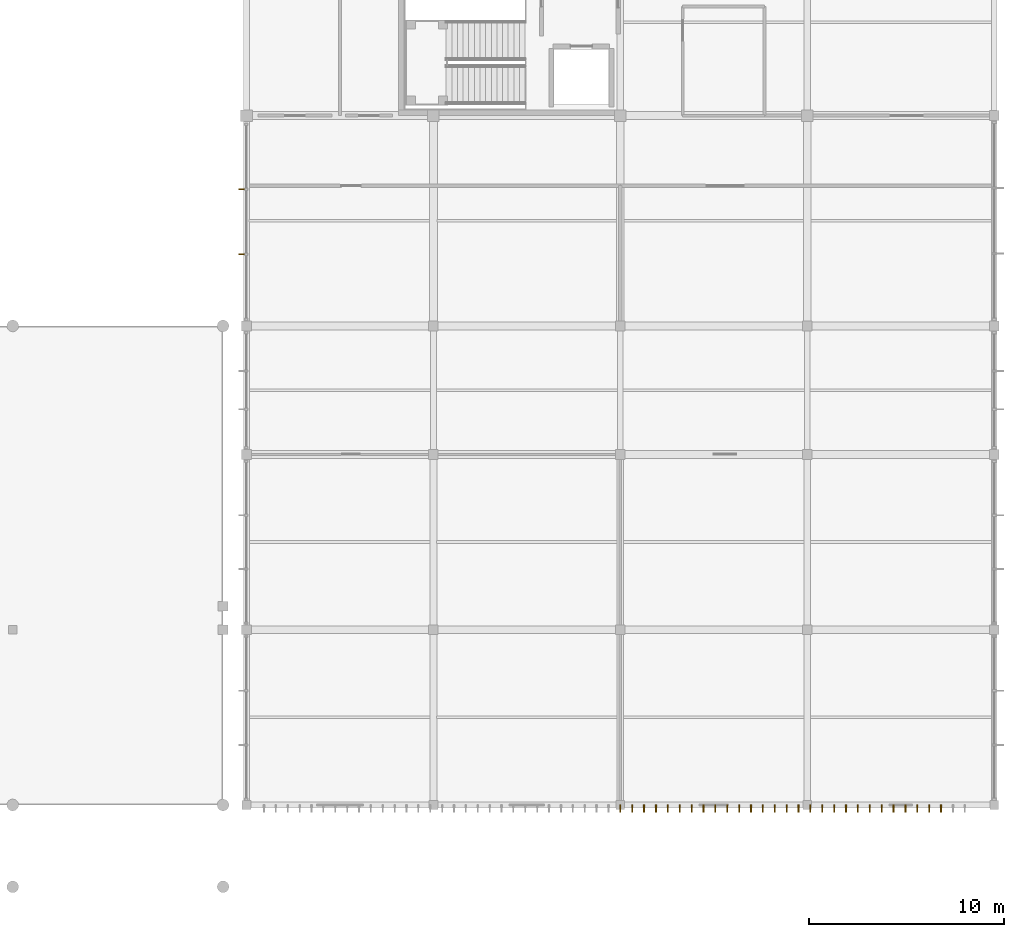
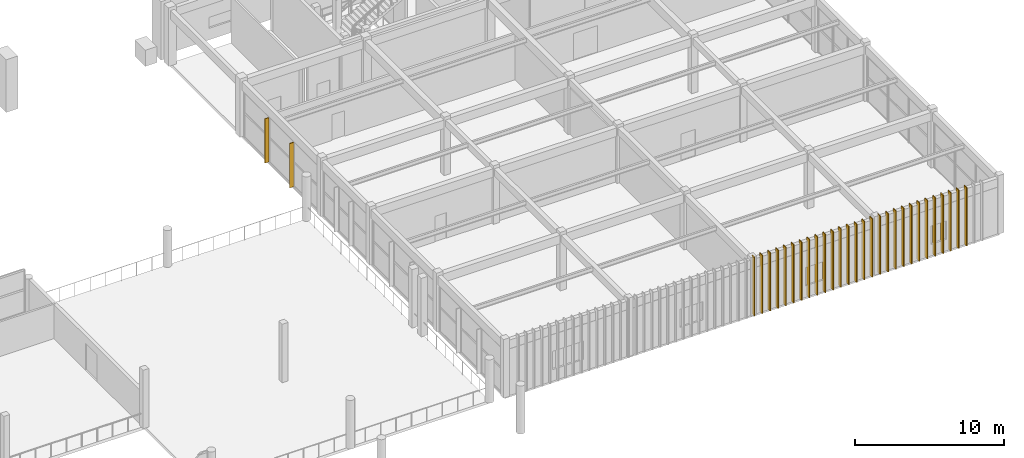
# One storey, part 68 of 74: 30 shading devices.
"""IFC4 building model written with IfcOpenShell, lengths in metres."""

import ifcopenshell
import ifcopenshell.guid

model = None  # the IFC model being written
_history = None  # IfcOwnerHistory: only IFC2X3 demands one
_inside = {}  # id of a spatial element -> (the spatial element, [elements in it])
_under = {}  # id of a project, library or spatial element -> (it, [spatial elements below it])
_declared = {}  # id of a project -> (the project, [libraries it declares])
_typed = {}  # id of a type object -> (the type object, [elements of that type])
_made_of = {}  # id of a material, layer set ... -> (it, [elements and type objects made of it])


def new_model(schema):
    """Start an empty IFC model of exactly this schema.

    Asked for "IFC4X3", IfcOpenShell would pick the latest addendum, in which some entities
    have other attributes; the version numbers below select the first issue.
    IFC2X3 requires an IfcOwnerHistory on every rooted entity: one is made here for all.
    """
    global model, _history
    if schema == "IFC4X3":
        model = ifcopenshell.file(schema_version=(4, 3, 0, 0))
    else:
        model = ifcopenshell.file(schema=schema)
    _inside.clear()
    _under.clear()
    _declared.clear()
    _typed.clear()
    _made_of.clear()
    _history = None
    if model.schema == "IFC2X3":
        org = make("IfcOrganization", Name="unknown")
        user = make(
            "IfcPersonAndOrganization",
            ThePerson=make("IfcPerson", FamilyName="unknown"),
            TheOrganization=org,
        )
        app = make(
            "IfcApplication",
            ApplicationDeveloper=org,
            Version="unknown",
            ApplicationFullName="unknown",
            ApplicationIdentifier="unknown",
        )
        _history = make(
            "IfcOwnerHistory",
            OwningUser=user,
            OwningApplication=app,
            ChangeAction="ADDED",
            CreationDate=0,
        )
    return model


def make(cls, **values):
    """One entity of the class cls with the attributes given. An attribute that is None is left unset."""
    return model.create_entity(
        cls, **{name: value for name, value in values.items() if value is not None}
    )


def rooted(cls, **values):
    """An entity with a GlobalId (a new one), such as an element, a storey or a relation."""
    return make(cls, GlobalId=ifcopenshell.guid.new(), OwnerHistory=_history, **values)


def si_unit(unit_type, name, prefix=None):
    """IfcSIUnit, for example si_unit("LENGTHUNIT", "METRE", prefix="MILLI")."""
    return make("IfcSIUnit", UnitType=unit_type, Prefix=prefix, Name=name)


def assignment(units):
    """IfcUnitAssignment: the units of a project."""
    return None if units is None else make("IfcUnitAssignment", Units=units)


def point(xyz):
    """IfcCartesianPoint."""
    return None if xyz is None else make("IfcCartesianPoint", Coordinates=xyz)


def direction(xyz):
    """IfcDirection."""
    return None if xyz is None else make("IfcDirection", DirectionRatios=xyz)


def frame(location, z_axis=None, x_axis=None):
    """IfcAxis2Placement3D, a coordinate frame: its origin and axes. An axis left out is left unset."""
    return make(
        "IfcAxis2Placement3D",
        Location=point(location),
        Axis=direction(z_axis),
        RefDirection=direction(x_axis),
    )


def frame_2d(location, x_axis=None):
    """IfcAxis2Placement2D, a coordinate frame in the plane: its origin and x axis."""
    return make(
        "IfcAxis2Placement2D", Location=point(location), RefDirection=direction(x_axis)
    )


def origin():
    """The frame at (0, 0, 0) with its axes left unset."""
    return frame((0.0, 0.0, 0.0))


def origin_2d():
    """The frame at (0, 0) in the plane with its x axis left unset."""
    return frame_2d((0.0, 0.0))


def place(relative_to, where):
    """IfcLocalPlacement: puts the frame where relative to a parent placement (None: the world)."""
    return make(
        "IfcLocalPlacement", PlacementRelTo=relative_to, RelativePlacement=where
    )


def context(
    kind, dimensions, precision=None, world=None, true_north=None, identifier=None
):
    """IfcGeometricRepresentationContext, for example the 3D "Model" context."""
    return make(
        "IfcGeometricRepresentationContext",
        ContextIdentifier=identifier,
        ContextType=kind,
        CoordinateSpaceDimension=dimensions,
        Precision=precision,
        WorldCoordinateSystem=world,
        TrueNorth=true_north,
    )


def subcontext(parent, identifier, kind, view, scale=None):
    """IfcGeometricRepresentationSubContext, for example "Body" below "Model"."""
    return make(
        "IfcGeometricRepresentationSubContext",
        ContextIdentifier=identifier,
        ContextType=kind,
        ParentContext=parent,
        TargetScale=scale,
        TargetView=view,
    )


def project(units=None, contexts=None):
    """IfcProject with its units and contexts."""
    return rooted(
        "IfcProject",
        Name="project",
        RepresentationContexts=contexts,
        UnitsInContext=assignment(units),
    )


def spatial(cls, under=None, at=None, **own):
    """A site, building, storey or space (cls), placed at a placement, below another one or the project."""
    s = rooted(cls, ObjectPlacement=at, **own)
    if under is not None:
        _under.setdefault(under.id(), (under, []))[1].append(s)
    return s


def profile(cls, at=None, kind="AREA", **sizes):
    """A parametric profile (cls). Its sizes go by their IFC names, for example OverallWidth=200.0."""
    return make(cls, ProfileType=kind, Position=at, **sizes)


def rectangle(**sizes):
    """IfcRectangleProfileDef."""
    return profile("IfcRectangleProfileDef", **sizes)


def extrude(swept, where, along, depth):
    """IfcExtrudedAreaSolid: the profile swept, set in the frame where, extruded along a direction by depth."""
    return make(
        "IfcExtrudedAreaSolid",
        SweptArea=swept,
        Position=where,
        ExtrudedDirection=direction(along),
        Depth=depth,
    )


def shape(context_of_items, identifier, shape_type, items):
    """IfcShapeRepresentation: the items that make up one representation, for example the "Body"."""
    return make(
        "IfcShapeRepresentation",
        ContextOfItems=context_of_items,
        RepresentationIdentifier=identifier,
        RepresentationType=shape_type,
        Items=items,
    )


def material(Name=None, Category=None):
    """IfcMaterial."""
    return make("IfcMaterial", Name=Name, Category=Category)


def made_of(thing, what):
    """Note that an element or type object is made of a material, layer set ...; save() writes the relation."""
    if what is not None:
        _made_of.setdefault(what.id(), (what, []))[1].append(thing)
    return thing


def type_object(cls, material=None, **own):
    """A type object (cls), such as IfcWallType, which elements share."""
    return made_of(rooted(cls, **own), material)


def element(
    cls,
    number,
    at=None,
    inside=None,
    cuts=None,
    type_object=None,
    material=None,
    context=None,
    identifier="Body",
    shape_type=None,
    held_by="IfcProductDefinitionShape",
    body=None,
    shapes=None,
    **own,
):
    """One element of the class cls, such as IfcWall. Its Tag is "e" and its number.

    at: its placement. inside: the storey or other place that contains it. cuts: it is an
    opening in that element (IfcRelVoidsElement). A single representation is given by context,
    identifier, shape_type and body (its items); several are given by shapes. held_by: the class
    of the entity that holds the representations. save() writes the other relations.
    """
    e = rooted(cls, Tag="e%d" % number, ObjectPlacement=at, **own)
    if body is not None:
        shapes = [shape(context, identifier, shape_type, body)]
    if shapes is not None:
        e.Representation = make(held_by, Representations=shapes)
    if inside is not None:
        _inside.setdefault(inside.id(), (inside, []))[1].append(e)
    if cuts is not None:
        rooted(
            "IfcRelVoidsElement", RelatingBuildingElement=cuts, RelatedOpeningElement=e
        )
    if type_object is not None:
        _typed.setdefault(type_object.id(), (type_object, []))[1].append(e)
    return made_of(e, material)


def aggregate(whole, parts):
    """IfcRelAggregates: a whole, such as a stair, and the parts it consists of."""
    return rooted("IfcRelAggregates", RelatingObject=whole, RelatedObjects=parts)


def save(model, path):
    """Write the relations noted so far, then the file.

    IfcRelAggregates (storeys below a building ...), IfcRelContainedInSpatialStructure (elements
    in a storey), IfcRelDefinesByType, IfcRelAssociatesMaterial and IfcRelDeclares: one each for
    every whole, place, type object, material and project.
    """
    for whole, parts in _under.values():
        aggregate(whole, parts)
    for where, things in _inside.values():
        rooted(
            "IfcRelContainedInSpatialStructure",
            RelatedElements=things,
            RelatingStructure=where,
        )
    for kind, things in _typed.values():
        rooted("IfcRelDefinesByType", RelatedObjects=things, RelatingType=kind)
    for what, things in _made_of.values():
        rooted("IfcRelAssociatesMaterial", RelatedObjects=things, RelatingMaterial=what)
    for by, libraries in _declared.values():
        rooted("IfcRelDeclares", RelatingContext=by, RelatedDefinitions=libraries)
    model.write(path)


model = new_model("IFC4")

# Units and contexts
model_context = context("Model", 3, precision=1e-05, world=origin(), true_north=direction((0.0, 1.0)))
body_context = subcontext(model_context, "Body", "Model", "MODEL_VIEW")
ifc_project = project(units=[si_unit("LENGTHUNIT", "METRE"), si_unit("AREAUNIT", "SQUARE_METRE"), si_unit("VOLUMEUNIT", "CUBIC_METRE"), si_unit("PLANEANGLEUNIT", "RADIAN"), si_unit("MASSUNIT", "GRAM", prefix="KILO")], contexts=[model_context])

# Site, building, storey
site_placement = place(None, origin())
site = spatial("IfcSite", under=ifc_project, at=site_placement, CompositionType="ELEMENT")
building_placement = place(site_placement, origin())
building = spatial("IfcBuilding", under=site, at=building_placement, Name="Suirenkawa Promenade Aquatics Centre", CompositionType="ELEMENT")
storey_placement = place(building_placement, frame((0.0, 0.0, 4.800048828125)))
storey = spatial("IfcBuildingStorey", under=building, at=storey_placement, Name="L01", CompositionType="ELEMENT", Elevation=4.800048828125)

# Shading devices
ifc_material = material(Name="Anodised aluminium 6063-T6", Category="aluminium")
shading_device_type_1 = type_object("IfcShadingDeviceType", Name="SDT-KOUSHI-320", PredefinedType="USERDEFINED", material=ifc_material)
for number, where, z_axis, x_axis, name in (
    (1, (155.76806640625, 32.48291015625, 0.0400390625), (0.0, 0.0, 1.0), (-1.0, 0.0, 0.0), "Vertical solar shading fin FN-02 FIN-0047"),
    (2, (155.76806640625, 35.81689453125, 0.0400390625), (0.0, 0.0, 1.0), (-1.0, 0.0, 0.0), "Vertical solar shading fin FN-02 FIN-0048"),
):
    element("IfcShadingDevice", number, at=place(storey_placement, frame(where, z_axis=z_axis, x_axis=x_axis)), inside=storey, type_object=shading_device_type_1, Name=name, ObjectType="FIN", PredefinedType="USERDEFINED", context=body_context, shape_type="SweptSolid", body=[
        extrude(rectangle(XDim=0.320068359375, YDim=0.06005859375, at=origin_2d()), origin(), (0.0, 0.0, 1.0), 3.639892578125),
    ])
shading_device_type_2 = type_object("IfcShadingDeviceType", Name="SDT-KOUSHI-400", PredefinedType="USERDEFINED", material=ifc_material)
for number, where, z_axis, x_axis, name in (
    (3, (175.199951171875, 4.02001953125, 0.0), (0.0, 0.0, 1.0), (1.0, 0.0, 0.0), "Koushi facade sunshade SH-01 SHD-0291"),
    (4, (175.81005859375, 4.02001953125, 0.0), (0.0, 0.0, 1.0), (1.0, 0.0, 0.0), "Koushi facade sunshade SH-01 SHD-0292"),
    (5, (176.419921875, 4.02001953125, 0.0), (0.0, 0.0, 1.0), (1.0, 0.0, 0.0), "Koushi facade sunshade SH-01 SHD-0293"),
    (6, (177.030029296875, 4.02001953125, 0.0), (0.0, 0.0, 1.0), (1.0, 0.0, 0.0), "Koushi facade sunshade SH-01 SHD-0294"),
    (7, (177.639892578125, 4.02001953125, 0.0), (0.0, 0.0, 1.0), (1.0, 0.0, 0.0), "Koushi facade sunshade SH-01 SHD-0295"),
    (8, (178.25, 4.02001953125, 0.0), (0.0, 0.0, 1.0), (1.0, 0.0, 0.0), "Koushi facade sunshade SH-01 SHD-0296"),
    (9, (178.860107421875, 4.02001953125, 0.0), (0.0, 0.0, 1.0), (1.0, 0.0, 0.0), "Koushi facade sunshade SH-01 SHD-0297"),
    (10, (179.469970703125, 4.02001953125, 0.0), (0.0, 0.0, 1.0), (1.0, 0.0, 0.0), "Koushi facade sunshade SH-01 SHD-0298"),
    (11, (180.080078125, 4.02001953125, 0.0), (0.0, 0.0, 1.0), (1.0, 0.0, 0.0), "Koushi facade sunshade SH-01 SHD-0299"),
    (12, (180.68994140625, 4.02001953125, 0.0), (0.0, 0.0, 1.0), (1.0, 0.0, 0.0), "Koushi facade sunshade SH-01 SHD-0300"),
    (13, (181.300048828125, 4.02001953125, 0.0), (0.0, 0.0, 1.0), (1.0, 0.0, 0.0), "Koushi facade sunshade SH-01 SHD-0301"),
    (14, (181.909912109375, 4.02001953125, 0.0), (0.0, 0.0, 1.0), (1.0, 0.0, 0.0), "Koushi facade sunshade SH-01 SHD-0302"),
    (15, (182.52001953125, 4.02001953125, 0.0), (0.0, 0.0, 1.0), (1.0, 0.0, 0.0), "Koushi facade sunshade SH-01 SHD-0303"),
    (16, (183.1298828125, 4.02001953125, 0.0), (0.0, 0.0, 1.0), (1.0, 0.0, 0.0), "Koushi facade sunshade SH-01 SHD-0304"),
    (17, (183.739990234375, 4.02001953125, 0.0), (0.0, 0.0, 1.0), (1.0, 0.0, 0.0), "Koushi facade sunshade SH-01 SHD-0305"),
    (18, (184.35009765625, 4.02001953125, 0.0), (0.0, 0.0, 1.0), (1.0, 0.0, 0.0), "Koushi facade sunshade SH-01 SHD-0306"),
    (19, (184.9599609375, 4.02001953125, 0.0), (0.0, 0.0, 1.0), (1.0, 0.0, 0.0), "Koushi facade sunshade SH-01 SHD-0307"),
    (20, (185.570068359375, 4.02001953125, 0.0), (0.0, 0.0, 1.0), (1.0, 0.0, 0.0), "Koushi facade sunshade SH-01 SHD-0308"),
    (21, (186.179931640625, 4.02001953125, 0.0), (0.0, 0.0, 1.0), (1.0, 0.0, 0.0), "Koushi facade sunshade SH-01 SHD-0309"),
    (22, (186.7900390625, 4.02001953125, 0.0), (0.0, 0.0, 1.0), (1.0, 0.0, 0.0), "Koushi facade sunshade SH-01 SHD-0310"),
    (23, (187.39990234375, 4.02001953125, 0.0), (0.0, 0.0, 1.0), (1.0, 0.0, 0.0), "Koushi facade sunshade SH-01 SHD-0311"),
    (24, (188.010009765625, 4.02001953125, 0.0), (0.0, 0.0, 1.0), (1.0, 0.0, 0.0), "Koushi facade sunshade SH-01 SHD-0312"),
    (25, (188.6201171875, 4.02001953125, 0.0), (0.0, 0.0, 1.0), (1.0, 0.0, 0.0), "Koushi facade sunshade SH-01 SHD-0313"),
    (26, (189.22998046875, 4.02001953125, 0.0), (0.0, 0.0, 1.0), (1.0, 0.0, 0.0), "Koushi facade sunshade SH-01 SHD-0314"),
    (27, (189.840087890625, 4.02001953125, 0.0), (0.0, 0.0, 1.0), (1.0, 0.0, 0.0), "Koushi facade sunshade SH-01 SHD-0315"),
    (28, (190.449951171875, 4.02001953125, 0.0), (0.0, 0.0, 1.0), (1.0, 0.0, 0.0), "Koushi facade sunshade SH-01 SHD-0316"),
    (29, (191.06005859375, 4.02001953125, 0.0), (0.0, 0.0, 1.0), (1.0, 0.0, 0.0), "Koushi facade sunshade SH-01 SHD-0317"),
    (30, (191.669921875, 4.02001953125, 0.0), (0.0, 0.0, 1.0), (1.0, 0.0, 0.0), "Koushi facade sunshade SH-01 SHD-0318"),
):
    element("IfcShadingDevice", number, at=place(storey_placement, frame(where, z_axis=z_axis, x_axis=x_axis)), inside=storey, type_object=shading_device_type_2, Name=name, ObjectType="FIN", PredefinedType="USERDEFINED", context=body_context, shape_type="SweptSolid", body=[
        extrude(rectangle(XDim=0.06005859375, YDim=0.360107421875, at=origin_2d()), origin(), (0.0, 0.0, 1.0), 4.800048828125),
    ])

save(model, "model.ifc")
